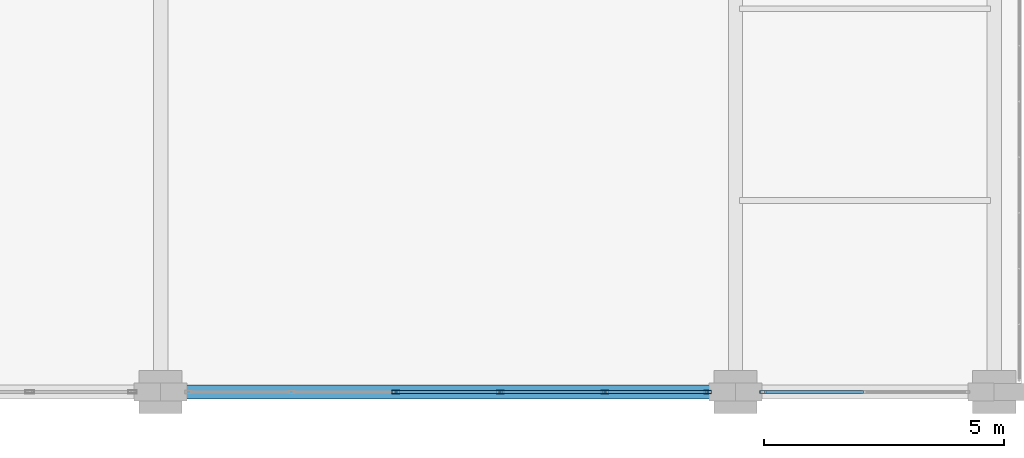
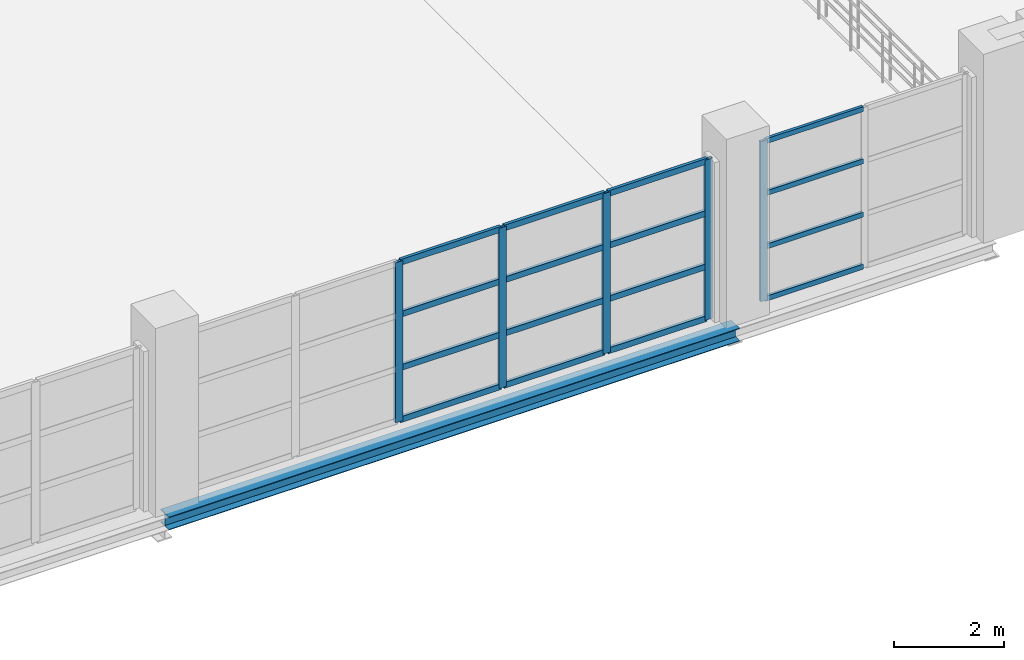
# One storey, part 46 of 158: 21 members, 1 beam, 2 elements without a shape of their own.
"""IFC4 building model written with IfcOpenShell, lengths in metres."""

from ifc_helpers import new_model, si_unit, direction, frame, origin, origin_2d, place, context, subcontext, project, spatial, hollow_rectangle, i_section, extrude, material, layer, layer_set, material_profile, profile_set, type_object, element, aggregate, save


model = new_model("IFC4")

# Units and contexts
model_context = context("Model", 3, precision=1e-05, world=origin(), true_north=direction((0.0, 1.0)))
body_context = subcontext(model_context, "Body", "Model", "MODEL_VIEW")
ifc_project = project(units=[si_unit("LENGTHUNIT", "METRE"), si_unit("AREAUNIT", "SQUARE_METRE"), si_unit("VOLUMEUNIT", "CUBIC_METRE"), si_unit("PLANEANGLEUNIT", "RADIAN"), si_unit("MASSUNIT", "GRAM", prefix="KILO")], contexts=[model_context])

# Site, building, storey
site_placement = place(None, origin())
site = spatial("IfcSite", under=ifc_project, at=site_placement, CompositionType="ELEMENT")
building_placement = place(site_placement, origin())
building = spatial("IfcBuilding", under=site, at=building_placement, Name="Zilviju Railside Exhibition Hall", CompositionType="ELEMENT")
storey_placement = place(building_placement, frame((0.0, 0.0, 4.199951171875)))
storey = spatial("IfcBuildingStorey", under=building, at=storey_placement, Name="L02", CompositionType="ELEMENT", Elevation=4.199951171875)

# Beam
ifc_material_1 = material(Name="Steel S355J2", Category="steel")
ifc_material_profile_1 = material_profile(ifc_material_1, i_section(OverallWidth=0.300048828125, OverallDepth=0.2900390625, WebThickness=0.008544921875, FlangeThickness=0.013916015625, at=origin_2d()), Name="HEA 300")
ifc_profile_set_1 = profile_set([ifc_material_profile_1], Name="Steel S355J2")
beam_type = type_object("IfcBeamType", Name="BM-HEA300", PredefinedType="SPANDREL", material=ifc_profile_set_1)
beam_placement = place(storey_placement, frame((108.0, 0.0, -0.474853515625), z_axis=(1.0, 0.0, 0.0), x_axis=(0.0, 1.0, 0.0)))
element("IfcBeam", 1, at=beam_placement, inside=storey, type_object=beam_type, Name="Primary Girder L02 Y=0.0 (108.0..120.0)", PredefinedType="SPANDREL", context=body_context, shape_type="SweptSolid", body=[
    extrude(i_section(OverallWidth=0.300048828125, OverallDepth=0.2900390625, WebThickness=0.008544921875, FlangeThickness=0.013916015625, at=origin_2d()), origin(), (0.0, 0.0, 1.0), 12.0),
])

# Curtain wall, member
ifc_material_2 = material(Name="Thermally broken aluminium-steel triple-glazed curtain wall", Category="steel")
ifc_layer_1 = layer(ifc_material_2, 0.179931640625)
ifc_layer_set_1 = layer_set([ifc_layer_1], Name="Thermally broken aluminium-steel triple-glazed curtain wall")
curtain_wall_type_1 = type_object("IfcCurtainWallType", Name="CW-BAY-09", PredefinedType="USERDEFINED", material=ifc_layer_set_1)
curtain_wall_1_placement = place(storey_placement, origin())
curtain_wall_1 = element("IfcCurtainWall", 2, at=curtain_wall_1_placement, inside=storey, type_object=curtain_wall_type_1, Name="South Hall Facade Curtain Wall L02 (120..125)", ObjectType="GLAZED CURTAIN WALL", PredefinedType="USERDEFINED")
ifc_material_3 = material(Name="Thermally broken anodized aluminium mullion", Category="aluminium")
ifc_material_profile_2 = material_profile(ifc_material_3, hollow_rectangle(XDim=0.06005859375, YDim=0.139892578125, WallThickness=0.0048828125, at=origin_2d()), Name="MULLION 140x60x5")
ifc_profile_set_2 = profile_set([ifc_material_profile_2], Name="Thermally broken anodized aluminium mullion")
member_type_1 = type_object("IfcMemberType", Name="CWM-60x140", PredefinedType="MULLION", material=ifc_profile_set_2)
member_1_placement = place(storey_placement, frame((120.580078125, 0.0, 0.0), z_axis=(0.0, 0.0, 1.0), x_axis=(0.0, -1.0, 0.0)))
member_1 = element("IfcMember", 3, at=member_1_placement, type_object=member_type_1, Name="CW-09 mullion 3", PredefinedType="MULLION", context=body_context, shape_type="SweptSolid", body=[
    extrude(hollow_rectangle(XDim=0.06005859375, YDim=0.139892578125, WallThickness=0.0048828125, at=origin_2d()), origin(), (0.0, 0.0, 1.0), 3.56005859375),
])

# Curtain wall, members
ifc_layer_2 = layer(ifc_material_2, 0.179931640625)
ifc_layer_set_2 = layer_set([ifc_layer_2], Name="Thermally broken aluminium-steel triple-glazed curtain wall")
curtain_wall_type_2 = type_object("IfcCurtainWallType", Name="CW-BAY-08", PredefinedType="USERDEFINED", material=ifc_layer_set_2)
curtain_wall_2_placement = place(storey_placement, origin())
curtain_wall_2 = element("IfcCurtainWall", 4, at=curtain_wall_2_placement, inside=storey, type_object=curtain_wall_type_2, Name="South Hall Facade Curtain Wall L02 (108..120)", ObjectType="GLAZED CURTAIN WALL", PredefinedType="USERDEFINED")
ifc_material_profile_3 = material_profile(ifc_material_3, hollow_rectangle(XDim=0.06494140625, YDim=0.159912109375, WallThickness=0.0048828125, at=origin_2d()), Name="MULLION 160x65x5")
ifc_profile_set_3 = profile_set([ifc_material_profile_3], Name="Thermally broken anodized aluminium mullion")
member_type_2 = type_object("IfcMemberType", Name="CWM-65x160", PredefinedType="MULLION", material=ifc_profile_set_3)
member_2_placement = place(storey_placement, frame((119.41748046875, 0.0, 0.0), z_axis=(0.0, 0.0, 1.0), x_axis=(0.0, -1.0, 0.0)))
member_2 = element("IfcMember", 5, at=member_2_placement, type_object=member_type_2, Name="CW-08 mullion 1", PredefinedType="MULLION", context=body_context, shape_type="SweptSolid", body=[
    extrude(hollow_rectangle(XDim=0.06494140625, YDim=0.159912109375, WallThickness=0.0048828125, at=origin_2d()), origin(), (0.0, 0.0, 1.0), 3.56005859375),
])
member_3_placement = place(storey_placement, frame((117.27001953125, 0.0, 0.0), z_axis=(0.0, 0.0, 1.0), x_axis=(0.0, -1.0, 0.0)))
member_3 = element("IfcMember", 6, at=member_3_placement, type_object=member_type_2, Name="CW-08 mullion 2", PredefinedType="MULLION", context=body_context, shape_type="SweptSolid", body=[
    extrude(hollow_rectangle(XDim=0.06494140625, YDim=0.159912109375, WallThickness=0.0048828125, at=origin_2d()), origin(), (0.0, 0.0, 1.0), 3.56005859375),
])
member_4_placement = place(storey_placement, frame((115.090087890625, 0.0, 0.0), z_axis=(0.0, 0.0, 1.0), x_axis=(0.0, -1.0, 0.0)))
member_4 = element("IfcMember", 7, at=member_4_placement, type_object=member_type_2, Name="CW-08 mullion 3", PredefinedType="MULLION", context=body_context, shape_type="SweptSolid", body=[
    extrude(hollow_rectangle(XDim=0.06494140625, YDim=0.159912109375, WallThickness=0.0048828125, at=origin_2d()), origin(), (0.0, 0.0, 1.0), 3.56005859375),
])
member_5_placement = place(storey_placement, frame((112.909912109375, 0.0, 0.0), z_axis=(0.0, 0.0, 1.0), x_axis=(0.0, -1.0, 0.0)))
member_5 = element("IfcMember", 8, at=member_5_placement, type_object=member_type_2, Name="CW-08 mullion 4", PredefinedType="MULLION", context=body_context, shape_type="SweptSolid", body=[
    extrude(hollow_rectangle(XDim=0.06494140625, YDim=0.159912109375, WallThickness=0.0048828125, at=origin_2d()), origin(), (0.0, 0.0, 1.0), 3.56005859375),
])

# Member
ifc_material_4 = material(Name="Thermally broken anodized aluminium transom", Category="aluminium")
ifc_material_profile_4 = material_profile(ifc_material_4, hollow_rectangle(XDim=0.06005859375, YDim=0.110107421875, WallThickness=0.0048828125, at=origin_2d()), Name="TRANSOM 110x60x5")
ifc_profile_set_4 = profile_set([ifc_material_profile_4], Name="Thermally broken anodized aluminium transom")
member_type_3 = type_object("IfcMemberType", Name="CWT-60x110", PredefinedType="USERDEFINED", material=ifc_profile_set_4)
member_6_placement = place(storey_placement, frame((122.669921875, 0.0, 0.030029296875), z_axis=(-1.0, 0.0, 0.0), x_axis=(0.0, -1.0, 0.0)))
member_6 = element("IfcMember", 9, at=member_6_placement, type_object=member_type_3, Name="CW-09 transom 2.1", ObjectType="TRANSOM", PredefinedType="USERDEFINED", context=body_context, shape_type="SweptSolid", body=[
    extrude(hollow_rectangle(XDim=0.06005859375, YDim=0.110107421875, WallThickness=0.0048828125, at=origin_2d()), origin(), (0.0, 0.0, 1.0), 2.059814453125),
])

member_7_placement = place(storey_placement, frame((122.669921875, 0.0, 1.18701171875), z_axis=(-1.0, 0.0, 0.0), x_axis=(0.0, -1.0, 0.0)))
member_7 = element("IfcMember", 10, at=member_7_placement, type_object=member_type_3, Name="CW-09 transom 2.2", ObjectType="TRANSOM", PredefinedType="USERDEFINED", context=body_context, shape_type="SweptSolid", body=[
    extrude(hollow_rectangle(XDim=0.06005859375, YDim=0.110107421875, WallThickness=0.0048828125, at=origin_2d()), origin(), (0.0, 0.0, 1.0), 2.059814453125),
])

member_8_placement = place(storey_placement, frame((122.669921875, 0.0, 2.373046875), z_axis=(-1.0, 0.0, 0.0), x_axis=(0.0, -1.0, 0.0)))
member_8 = element("IfcMember", 11, at=member_8_placement, type_object=member_type_3, Name="CW-09 transom 2.3", ObjectType="TRANSOM", PredefinedType="USERDEFINED", context=body_context, shape_type="SweptSolid", body=[
    extrude(hollow_rectangle(XDim=0.06005859375, YDim=0.110107421875, WallThickness=0.0048828125, at=origin_2d()), origin(), (0.0, 0.0, 1.0), 2.059814453125),
])

member_9_placement = place(storey_placement, frame((122.669921875, 0.0, 3.530029296875), z_axis=(-1.0, 0.0, 0.0), x_axis=(0.0, -1.0, 0.0)))
member_9 = element("IfcMember", 12, at=member_9_placement, type_object=member_type_3, Name="CW-09 transom 2.4", ObjectType="TRANSOM", PredefinedType="USERDEFINED", context=body_context, shape_type="SweptSolid", body=[
    extrude(hollow_rectangle(XDim=0.06005859375, YDim=0.110107421875, WallThickness=0.0048828125, at=origin_2d()), origin(), (0.0, 0.0, 1.0), 2.059814453125),
])

aggregate(curtain_wall_1, [member_1, member_6, member_7, member_8, member_9])

ifc_material_profile_5 = material_profile(ifc_material_4, hollow_rectangle(XDim=0.06494140625, YDim=0.1298828125, WallThickness=0.0048828125, at=origin_2d()), Name="TRANSOM 130x65x5")
ifc_profile_set_5 = profile_set([ifc_material_profile_5], Name="Thermally broken anodized aluminium transom")
member_type_4 = type_object("IfcMemberType", Name="CWT-65x130", PredefinedType="USERDEFINED", material=ifc_profile_set_5)
member_10_placement = place(storey_placement, frame((119.385009765625, 0.0, 0.032470703125), z_axis=(-1.0, 0.0, 0.0), x_axis=(0.0, -1.0, 0.0)))
member_10 = element("IfcMember", 13, at=member_10_placement, type_object=member_type_4, Name="CW-08 transom 1.1", ObjectType="TRANSOM", PredefinedType="USERDEFINED", context=body_context, shape_type="SweptSolid", body=[
    extrude(hollow_rectangle(XDim=0.06494140625, YDim=0.1298828125, WallThickness=0.0048828125, at=origin_2d()), origin(), (0.0, 0.0, 1.0), 2.08251953125),
])

member_11_placement = place(storey_placement, frame((119.385009765625, 0.0, 1.18701171875), z_axis=(-1.0, 0.0, 0.0), x_axis=(0.0, -1.0, 0.0)))
member_11 = element("IfcMember", 14, at=member_11_placement, type_object=member_type_4, Name="CW-08 transom 1.2", ObjectType="TRANSOM", PredefinedType="USERDEFINED", context=body_context, shape_type="SweptSolid", body=[
    extrude(hollow_rectangle(XDim=0.06494140625, YDim=0.1298828125, WallThickness=0.0048828125, at=origin_2d()), origin(), (0.0, 0.0, 1.0), 2.08251953125),
])

member_12_placement = place(storey_placement, frame((119.385009765625, 0.0, 2.373046875), z_axis=(-1.0, 0.0, 0.0), x_axis=(0.0, -1.0, 0.0)))
member_12 = element("IfcMember", 15, at=member_12_placement, type_object=member_type_4, Name="CW-08 transom 1.3", ObjectType="TRANSOM", PredefinedType="USERDEFINED", context=body_context, shape_type="SweptSolid", body=[
    extrude(hollow_rectangle(XDim=0.06494140625, YDim=0.1298828125, WallThickness=0.0048828125, at=origin_2d()), origin(), (0.0, 0.0, 1.0), 2.08251953125),
])

member_13_placement = place(storey_placement, frame((119.385009765625, 0.0, 3.527587890625), z_axis=(-1.0, 0.0, 0.0), x_axis=(0.0, -1.0, 0.0)))
member_13 = element("IfcMember", 16, at=member_13_placement, type_object=member_type_4, Name="CW-08 transom 1.4", ObjectType="TRANSOM", PredefinedType="USERDEFINED", context=body_context, shape_type="SweptSolid", body=[
    extrude(hollow_rectangle(XDim=0.06494140625, YDim=0.1298828125, WallThickness=0.0048828125, at=origin_2d()), origin(), (0.0, 0.0, 1.0), 2.08251953125),
])

member_14_placement = place(storey_placement, frame((117.237548828125, 0.0, 0.032470703125), z_axis=(-1.0, 0.0, 0.0), x_axis=(0.0, -1.0, 0.0)))
member_14 = element("IfcMember", 17, at=member_14_placement, type_object=member_type_4, Name="CW-08 transom 2.1", ObjectType="TRANSOM", PredefinedType="USERDEFINED", context=body_context, shape_type="SweptSolid", body=[
    extrude(hollow_rectangle(XDim=0.06494140625, YDim=0.1298828125, WallThickness=0.0048828125, at=origin_2d()), origin(), (0.0, 0.0, 1.0), 2.114990234375),
])

member_15_placement = place(storey_placement, frame((117.237548828125, 0.0, 1.18701171875), z_axis=(-1.0, 0.0, 0.0), x_axis=(0.0, -1.0, 0.0)))
member_15 = element("IfcMember", 18, at=member_15_placement, type_object=member_type_4, Name="CW-08 transom 2.2", ObjectType="TRANSOM", PredefinedType="USERDEFINED", context=body_context, shape_type="SweptSolid", body=[
    extrude(hollow_rectangle(XDim=0.06494140625, YDim=0.1298828125, WallThickness=0.0048828125, at=origin_2d()), origin(), (0.0, 0.0, 1.0), 2.114990234375),
])

member_16_placement = place(storey_placement, frame((117.237548828125, 0.0, 2.373046875), z_axis=(-1.0, 0.0, 0.0), x_axis=(0.0, -1.0, 0.0)))
member_16 = element("IfcMember", 19, at=member_16_placement, type_object=member_type_4, Name="CW-08 transom 2.3", ObjectType="TRANSOM", PredefinedType="USERDEFINED", context=body_context, shape_type="SweptSolid", body=[
    extrude(hollow_rectangle(XDim=0.06494140625, YDim=0.1298828125, WallThickness=0.0048828125, at=origin_2d()), origin(), (0.0, 0.0, 1.0), 2.114990234375),
])

member_17_placement = place(storey_placement, frame((117.237548828125, 0.0, 3.527587890625), z_axis=(-1.0, 0.0, 0.0), x_axis=(0.0, -1.0, 0.0)))
member_17 = element("IfcMember", 20, at=member_17_placement, type_object=member_type_4, Name="CW-08 transom 2.4", ObjectType="TRANSOM", PredefinedType="USERDEFINED", context=body_context, shape_type="SweptSolid", body=[
    extrude(hollow_rectangle(XDim=0.06494140625, YDim=0.1298828125, WallThickness=0.0048828125, at=origin_2d()), origin(), (0.0, 0.0, 1.0), 2.114990234375),
])

member_18_placement = place(storey_placement, frame((115.0576171875, 0.0, 0.032470703125), z_axis=(-1.0, 0.0, 0.0), x_axis=(0.0, -1.0, 0.0)))
member_18 = element("IfcMember", 21, at=member_18_placement, type_object=member_type_4, Name="CW-08 transom 3.1", ObjectType="TRANSOM", PredefinedType="USERDEFINED", context=body_context, shape_type="SweptSolid", body=[
    extrude(hollow_rectangle(XDim=0.06494140625, YDim=0.1298828125, WallThickness=0.0048828125, at=origin_2d()), origin(), (0.0, 0.0, 1.0), 2.115234375),
])

member_19_placement = place(storey_placement, frame((115.0576171875, 0.0, 1.18701171875), z_axis=(-1.0, 0.0, 0.0), x_axis=(0.0, -1.0, 0.0)))
member_19 = element("IfcMember", 22, at=member_19_placement, type_object=member_type_4, Name="CW-08 transom 3.2", ObjectType="TRANSOM", PredefinedType="USERDEFINED", context=body_context, shape_type="SweptSolid", body=[
    extrude(hollow_rectangle(XDim=0.06494140625, YDim=0.1298828125, WallThickness=0.0048828125, at=origin_2d()), origin(), (0.0, 0.0, 1.0), 2.115234375),
])

member_20_placement = place(storey_placement, frame((115.0576171875, 0.0, 2.373046875), z_axis=(-1.0, 0.0, 0.0), x_axis=(0.0, -1.0, 0.0)))
member_20 = element("IfcMember", 23, at=member_20_placement, type_object=member_type_4, Name="CW-08 transom 3.3", ObjectType="TRANSOM", PredefinedType="USERDEFINED", context=body_context, shape_type="SweptSolid", body=[
    extrude(hollow_rectangle(XDim=0.06494140625, YDim=0.1298828125, WallThickness=0.0048828125, at=origin_2d()), origin(), (0.0, 0.0, 1.0), 2.115234375),
])

member_21_placement = place(storey_placement, frame((115.0576171875, 0.0, 3.527587890625), z_axis=(-1.0, 0.0, 0.0), x_axis=(0.0, -1.0, 0.0)))
member_21 = element("IfcMember", 24, at=member_21_placement, type_object=member_type_4, Name="CW-08 transom 3.4", ObjectType="TRANSOM", PredefinedType="USERDEFINED", context=body_context, shape_type="SweptSolid", body=[
    extrude(hollow_rectangle(XDim=0.06494140625, YDim=0.1298828125, WallThickness=0.0048828125, at=origin_2d()), origin(), (0.0, 0.0, 1.0), 2.115234375),
])

aggregate(curtain_wall_2, [member_2, member_3, member_4, member_5, member_10, member_11, member_12, member_13, member_14, member_15, member_16, member_17, member_18, member_19, member_20, member_21])

save(model, "model.ifc")
